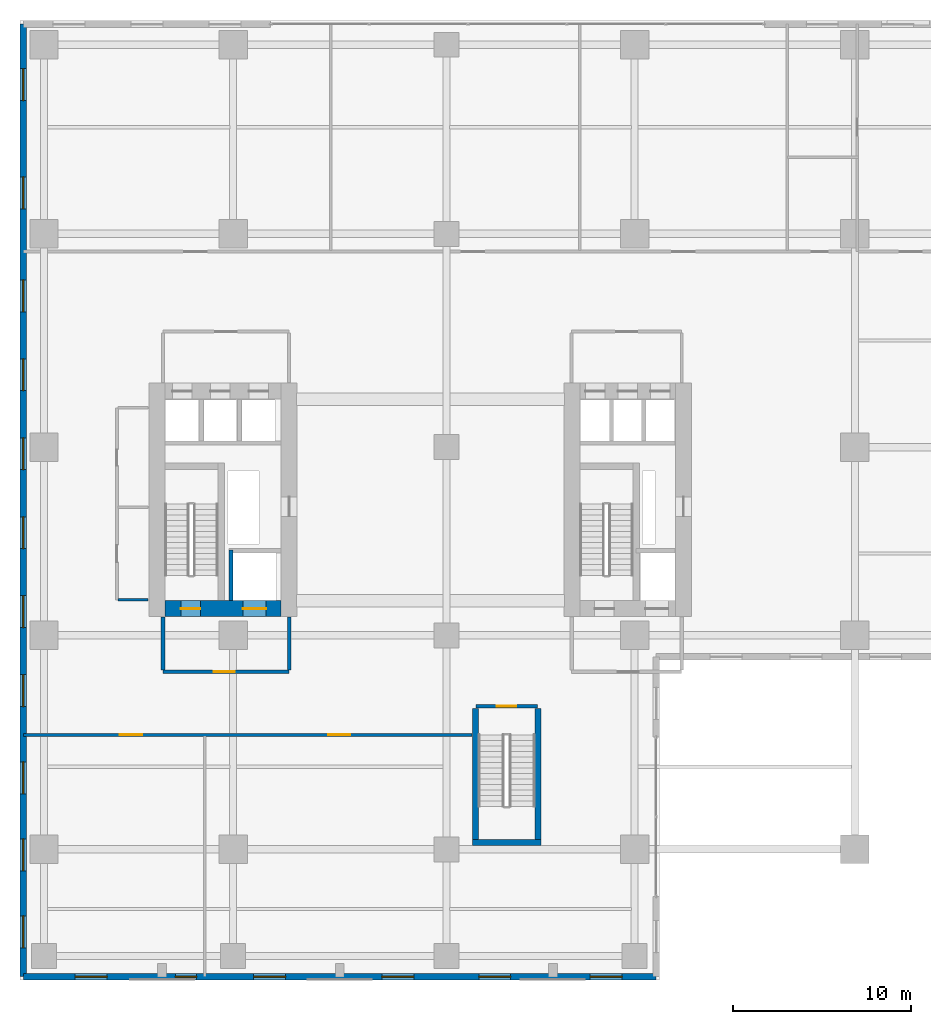
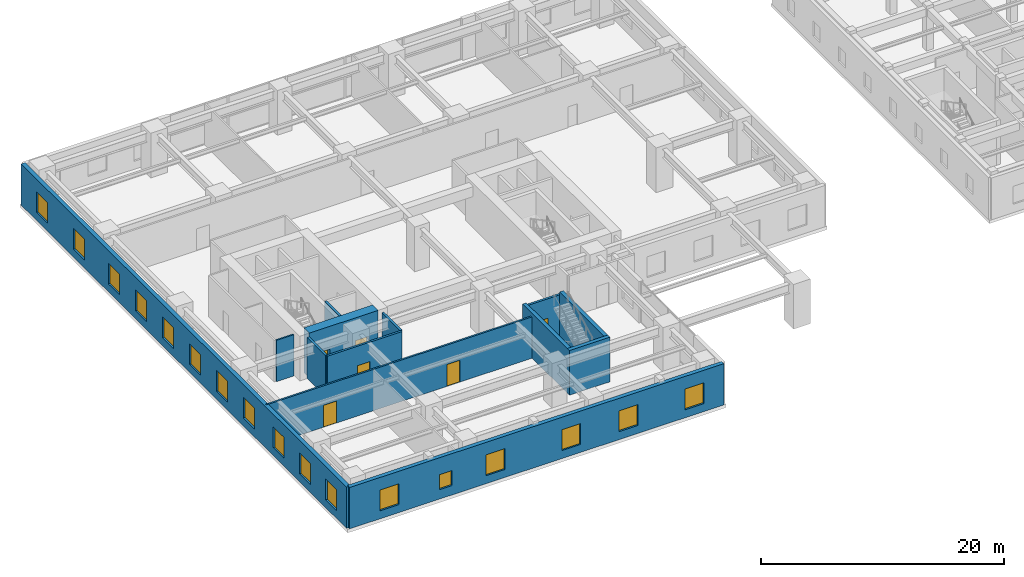
# One storey, part 18 of 26: 17 windows, 13 walls, 6 doors, 23 openings.
"""IFC4 building model written with IfcOpenShell, lengths in metres."""

from ifc_helpers import new_model, si_unit, direction, frame, frame_2d, origin, place, context, subcontext, project, spatial, rectangle, extrude, source, transform, mapped, material, layer, layer_set, type_object, element, fill, save


model = new_model("IFC4")

# Units and contexts
model_context = context("Model", 3, precision=1e-05, world=origin(), true_north=direction((0.0, 1.0)))
body_context = subcontext(model_context, "Body", "Model", "MODEL_VIEW")
ifc_project = project(units=[si_unit("LENGTHUNIT", "METRE"), si_unit("AREAUNIT", "SQUARE_METRE"), si_unit("VOLUMEUNIT", "CUBIC_METRE"), si_unit("PLANEANGLEUNIT", "RADIAN"), si_unit("MASSUNIT", "GRAM", prefix="KILO")], contexts=[model_context])

# Site, building, storey
site_placement = place(None, origin())
site = spatial("IfcSite", under=ifc_project, at=site_placement, CompositionType="ELEMENT")
building_placement = place(site_placement, origin())
building = spatial("IfcBuilding", under=site, at=building_placement, Name="Khoralis Quay Care Tower", CompositionType="ELEMENT")
storey_placement = place(building_placement, frame((0.0, 0.0, 4.5)))
storey = spatial("IfcBuildingStorey", under=building, at=storey_placement, Name="L01", CompositionType="ELEMENT", Elevation=4.5)

# Wall, opening, door
ifc_material_1 = material(Name="Gypsum plasterboard on acoustic metal stud")
ifc_layer_1 = layer(ifc_material_1, 0.199951171875)
ifc_layer_set_1 = layer_set([ifc_layer_1], Name="Gypsum plasterboard on acoustic metal stud")
wall_type_1 = type_object("IfcWallType", Name="WL-COMP-200", PredefinedType="PARTITIONING", material=ifc_layer_set_1)
wall_1_placement = place(storey_placement, frame((8.050048828125, 11.35009765625, 0.0), z_axis=(0.0, 0.0, 1.0), x_axis=(1.0, 0.0, 0.0)))
wall_1 = element("IfcWall", 1, at=wall_1_placement, inside=storey, type_object=wall_type_1, Name="L01 West Firefighting Lobby South Wall", PredefinedType="PARTITIONING", context=body_context, shape_type="SweptSolid", body=[
    extrude(rectangle(XDim=7.099853515625, YDim=0.199951171875, at=frame_2d((3.5498046875, 0.0))), origin(), (0.0, 0.0, 1.0), 4.159912109375),
])
opening_1_placement = place(wall_1_placement, frame((2.846435546875, 0.0, 0.0)))
opening_1 = element("IfcOpeningElement", 2, at=opening_1_placement, cuts=wall_1, Name="Opening FD1", PredefinedType="OPENING", context=body_context, shape_type="SweptSolid", body=[
    extrude(rectangle(XDim=1.199951171875, YDim=2.199951171875, at=frame_2d((0.60009765625, 1.10009765625))), frame((0.0, 0.10986328125, 0.0), z_axis=(0.0, -1.0, 0.0), x_axis=(1.0, 0.0, 0.0)), (0.0, 0.0, 1.0), 0.219970703125),
])
ifc_material_2 = material(Name="Fire-rated painted steel", Category="steel")
door_type_1 = type_object("IfcDoorType", Name="DR-FFL-1200X2200", OperationType="NOTDEFINED", PredefinedType="DOOR", material=ifc_material_2)
shared_shape_1 = source(origin(), body_context, "Body", "SweptSolid", [
    extrude(rectangle(XDim=1.199951171875, YDim=2.199951171875, at=frame_2d((0.60009765625, 1.10009765625))), frame((0.0, 0.02490234375, 0.0), z_axis=(0.0, -1.0, 0.0), x_axis=(1.0, 0.0, 0.0)), (0.0, 0.0, 1.0), 0.050048828125),
])
door_1_placement = place(opening_1_placement, origin())
door_1 = element("IfcDoor", 3, at=door_1_placement, inside=storey, type_object=door_type_1, Name="L01 West Firefighting Lobby Fire Door", OperationType="SINGLE_SWING_LEFT", OverallHeight=2.199951171875, OverallWidth=1.199951171875, PredefinedType="DOOR", context=body_context, shape_type="MappedRepresentation", body=[
    mapped(shared_shape_1, transform((0.0, 0.0, 0.0), scale=1.0)),
])
fill(opening_1, door_1)

# Walls
for number, where, z_axis, x_axis, name in (
    (4, (8.050048828125, 11.445068359375, 0.0), (0.0, 0.0, 1.0), (0.0, 1.0, 0.0), "L01 West Firefighting Lobby West Wall"),
    (5, (15.14990234375, 11.445068359375, 0.0), (0.0, 0.0, 1.0), (0.0, 1.0, 0.0), "L01 West Firefighting Lobby East Wall"),
):
    element("IfcWall", number, at=place(storey_placement, frame(where, z_axis=z_axis, x_axis=x_axis)), inside=storey, type_object=wall_type_1, Name=name, PredefinedType="PARTITIONING", context=body_context, shape_type="SweptSolid", body=[
        extrude(rectangle(XDim=2.98486328125, YDim=0.199951171875, at=frame_2d((1.492431640625, 0.0))), origin(), (0.0, 0.0, 1.0), 4.159912109375),
    ])

# Wall, opening, door
wall_2_placement = place(storey_placement, frame((25.679931640625, 9.419921875, 0.0), z_axis=(0.0, 0.0, 1.0), x_axis=(1.0, 0.0, 0.0)))
wall_2 = element("IfcWall", 6, at=wall_2_placement, inside=storey, type_object=wall_type_1, Name="L01 Podium Stair ST-P1 North Wall", PredefinedType="PARTITIONING", context=body_context, shape_type="SweptSolid", body=[
    extrude(rectangle(XDim=3.440185546875, YDim=0.199951171875, at=frame_2d((1.72021484375, 0.0))), origin(), (0.0, 0.0, 1.0), 4.159912109375),
])
opening_2_placement = place(wall_2_placement, frame((1.14990234375, 0.0, 0.0)))
opening_2 = element("IfcOpeningElement", 7, at=opening_2_placement, cuts=wall_2, Name="Opening SD1", PredefinedType="OPENING", context=body_context, shape_type="SweptSolid", body=[
    extrude(rectangle(XDim=1.10009765625, YDim=2.199951171875, at=frame_2d((0.550048828125, 1.10009765625))), frame((0.0, 0.10986328125, 0.0), z_axis=(0.0, -1.0, 0.0), x_axis=(1.0, 0.0, 0.0)), (0.0, 0.0, 1.0), 0.219970703125),
])
door_type_2 = type_object("IfcDoorType", Name="DR-STAIR-1100X2200", OperationType="NOTDEFINED", PredefinedType="DOOR", material=ifc_material_2)
shared_shape_2 = source(origin(), body_context, "Body", "SweptSolid", [
    extrude(rectangle(XDim=1.10009765625, YDim=2.199951171875, at=frame_2d((0.550048828125, 1.10009765625))), frame((0.0, 0.02490234375, 0.0), z_axis=(0.0, -1.0, 0.0), x_axis=(1.0, 0.0, 0.0)), (0.0, 0.0, 1.0), 0.050048828125),
])
door_2_placement = place(opening_2_placement, frame((1.10009765625, 0.0, 0.0), z_axis=(0.0, 0.0, 1.0), x_axis=(-1.0, 0.0, 0.0)))
door_2 = element("IfcDoor", 8, at=door_2_placement, inside=storey, type_object=door_type_2, Name="L01 Stair ST-P1 Fire Door", OperationType="SINGLE_SWING_LEFT", OverallHeight=2.199951171875, OverallWidth=1.10009765625, PredefinedType="DOOR", context=body_context, shape_type="MappedRepresentation", body=[
    mapped(shared_shape_2, transform((0.0, 0.0, 0.0), scale=1.0)),
])
fill(opening_2, door_2)

# Wall, openings, doors
ifc_material_3 = material(Name="Concrete C80/95", Category="concrete")
ifc_layer_2 = layer(ifc_material_3, 0.89990234375)
ifc_layer_set_2 = layer_set([ifc_layer_2], Name="Concrete C80/95")
wall_type_2 = type_object("IfcWallType", Name="WL-CORE-900", PredefinedType="SHEAR", material=ifc_layer_set_2)
wall_3_placement = place(storey_placement, frame((8.14990234375, 14.89990234375, 0.0), z_axis=(0.0, 0.0, 1.0), x_axis=(1.0, 0.0, 0.0)))
wall_3 = element("IfcWall", 9, at=wall_3_placement, inside=storey, type_object=wall_type_2, Name="L01 WCORE South Shear Wall", PredefinedType="SHEAR", context=body_context, shape_type="SweptSolid", body=[
    extrude(rectangle(XDim=6.550048828125, YDim=0.89990234375, at=frame_2d((3.27490234375, 0.0))), origin(), (0.0, 0.0, 1.0), 4.5),
])
opening_3_placement = place(wall_3_placement, frame((0.89990234375, 0.0, 0.0)))
opening_3 = element("IfcOpeningElement", 10, at=opening_3_placement, cuts=wall_3, Name="Opening SD1", PredefinedType="OPENING", context=body_context, shape_type="SweptSolid", body=[
    extrude(rectangle(XDim=1.10009765625, YDim=2.199951171875, at=frame_2d((0.550048828125, 1.10009765625))), frame((0.0, 0.4599609375, 0.0), z_axis=(0.0, -1.0, 0.0), x_axis=(1.0, 0.0, 0.0)), (0.0, 0.0, 1.0), 0.919921875),
])
opening_4_placement = place(wall_3_placement, frame((4.39990234375, 0.0, 0.0)))
opening_4 = element("IfcOpeningElement", 11, at=opening_4_placement, cuts=wall_3, Name="Opening LD2", PredefinedType="OPENING", context=body_context, shape_type="SweptSolid", body=[
    extrude(rectangle(XDim=1.300048828125, YDim=2.199951171875, at=frame_2d((0.64990234375, 1.10009765625))), frame((0.0, 0.4599609375, 0.0), z_axis=(0.0, -1.0, 0.0), x_axis=(1.0, 0.0, 0.0)), (0.0, 0.0, 1.0), 0.919921875),
])
door_3_placement = place(opening_3_placement, origin())
door_3 = element("IfcDoor", 12, at=door_3_placement, inside=storey, type_object=door_type_2, Name="L01 Stair ST-T1 Fire Door", OperationType="SINGLE_SWING_LEFT", OverallHeight=2.199951171875, OverallWidth=1.10009765625, PredefinedType="DOOR", context=body_context, shape_type="MappedRepresentation", body=[
    mapped(shared_shape_2, transform((0.0, 0.0, 0.0), scale=1.0)),
])
fill(opening_3, door_3)
ifc_material_4 = material(Name="Brushed stainless steel", Category="steel")
door_type_3 = type_object("IfcDoorType", Name="DR-LIFT-1300X2200", OperationType="SLIDING_TO_RIGHT", PredefinedType="DOOR", material=ifc_material_4)
shared_shape_3 = source(origin(), body_context, "Body", "SweptSolid", [
    extrude(rectangle(XDim=1.300048828125, YDim=2.199951171875, at=frame_2d((0.64990234375, 1.10009765625))), frame((0.0, 0.02490234375, 0.0), z_axis=(0.0, -1.0, 0.0), x_axis=(1.0, 0.0, 0.0)), (0.0, 0.0, 1.0), 0.050048828125),
])
door_4_placement = place(opening_4_placement, origin())
door_4 = element("IfcDoor", 13, at=door_4_placement, inside=storey, type_object=door_type_3, Name="L01 Firefighting Lift FFL-1 Landing Door", OperationType="SLIDING_TO_RIGHT", OverallHeight=2.199951171875, OverallWidth=1.300048828125, PredefinedType="DOOR", context=body_context, shape_type="MappedRepresentation", body=[
    mapped(shared_shape_3, transform((0.0, 0.0, 0.0), scale=1.0)),
])
fill(opening_4, door_4)

ifc_layer_3 = layer(ifc_material_1, 0.1650390625)
ifc_layer_set_3 = layer_set([ifc_layer_3], Name="Gypsum plasterboard on acoustic metal stud")
wall_type_3 = type_object("IfcWallType", Name="WL-CORR-165", PredefinedType="PARTITIONING", material=ifc_layer_set_3)
wall_4_placement = place(storey_placement, frame((0.18505859375, 7.800048828125, 0.0), z_axis=(0.0, 0.0, 1.0), x_axis=(1.0, 0.0, 0.0)))
wall_4 = element("IfcWall", 14, at=wall_4_placement, inside=storey, type_object=wall_type_3, Name="L01 Podium South Concourse Wall", PredefinedType="PARTITIONING", context=body_context, shape_type="SweptSolid", body=[
    extrude(rectangle(XDim=25.264892578125, YDim=0.1650390625, at=frame_2d((12.63232421875, 0.0))), origin(), (0.0, 0.0, 1.0), 4.159912109375),
])
opening_5_placement = place(wall_4_placement, frame((5.43994140625, 0.0, 0.0)))
opening_5 = element("IfcOpeningElement", 15, at=opening_5_placement, cuts=wall_4, Name="Opening CD1", PredefinedType="OPENING", context=body_context, shape_type="SweptSolid", body=[
    extrude(rectangle(XDim=1.25, YDim=2.199951171875, at=frame_2d((0.625, 1.10009765625))), frame((0.0, 0.092529296875, 0.0), z_axis=(0.0, -1.0, 0.0), x_axis=(1.0, 0.0, 0.0)), (0.0, 0.0, 1.0), 0.18505859375),
])
opening_6_placement = place(wall_4_placement, frame((17.1650390625, 0.0, 0.0)))
opening_6 = element("IfcOpeningElement", 16, at=opening_6_placement, cuts=wall_4, Name="Opening CD1", PredefinedType="OPENING", context=body_context, shape_type="SweptSolid", body=[
    extrude(rectangle(XDim=1.25, YDim=2.199951171875, at=frame_2d((0.625, 1.10009765625))), frame((0.0, 0.092529296875, 0.0), z_axis=(0.0, -1.0, 0.0), x_axis=(1.0, 0.0, 0.0)), (0.0, 0.0, 1.0), 0.18505859375),
])
ifc_material_5 = material(Name="Acoustic hardwood timber", Category="wood")
door_type_4 = type_object("IfcDoorType", Name="DR-CARE-1250X2200", OperationType="NOTDEFINED", PredefinedType="DOOR", material=ifc_material_5)
shared_shape_4 = source(origin(), body_context, "Body", "SweptSolid", [
    extrude(rectangle(XDim=1.25, YDim=2.199951171875, at=frame_2d((0.625, 1.10009765625))), frame((0.0, 0.02490234375, 0.0), z_axis=(0.0, -1.0, 0.0), x_axis=(1.0, 0.0, 0.0)), (0.0, 0.0, 1.0), 0.050048828125),
])
door_5_placement = place(opening_5_placement, frame((1.25, 0.0, 0.0), z_axis=(0.0, 0.0, 1.0), x_axis=(-1.0, 0.0, 0.0)))
door_5 = element("IfcDoor", 17, at=door_5_placement, inside=storey, type_object=door_type_4, Name="L01 Outpatient Geriatric Pharmacy Door", OperationType="SINGLE_SWING_LEFT", OverallHeight=2.199951171875, OverallWidth=1.25, PredefinedType="DOOR", context=body_context, shape_type="MappedRepresentation", body=[
    mapped(shared_shape_4, transform((0.0, 0.0, 0.0), scale=1.0)),
])
fill(opening_5, door_5)
door_6_placement = place(opening_6_placement, frame((1.25, 0.0, 0.0), z_axis=(0.0, 0.0, 1.0), x_axis=(-1.0, 0.0, 0.0)))
door_6 = element("IfcDoor", 18, at=door_6_placement, inside=storey, type_object=door_type_4, Name="L01 Diagnostic Radiology Suite Door", OperationType="SINGLE_SWING_RIGHT", OverallHeight=2.199951171875, OverallWidth=1.25, PredefinedType="DOOR", context=body_context, shape_type="MappedRepresentation", body=[
    mapped(shared_shape_4, transform((0.0, 0.0, 0.0), scale=1.0)),
])
fill(opening_6, door_6)

# Wall, openings, windows
ifc_material_6 = material(Name="Precast concrete C45/55", Category="concrete")
ifc_layer_4 = layer(ifc_material_6, 0.3798828125)
ifc_layer_set_4 = layer_set([ifc_layer_4], Name="Precast concrete C45/55")
wall_type_4 = type_object("IfcWallType", Name="WL-EXT-POD-380", PredefinedType="SOLIDWALL", material=ifc_layer_set_4)
wall_5_placement = place(storey_placement, frame((0.18994140625, -5.81005859375, 0.0), z_axis=(0.0, 0.0, 1.0), x_axis=(1.0, 0.0, 0.0)))
wall_5 = element("IfcWall", 19, at=wall_5_placement, inside=storey, type_object=wall_type_4, Name="L01 External Facade Wall WL-POD-L01-E0", PredefinedType="SOLIDWALL", context=body_context, shape_type="SweptSolid", body=[
    extrude(rectangle(XDim=35.6201171875, YDim=0.3798828125, at=frame_2d((17.81005859375, 0.0))), origin(), (0.0, 0.0, 1.0), 4.159912109375),
])
opening_7_placement = place(wall_5_placement, frame((2.909912109375, 0.0, 0.800048828125)))
opening_7 = element("IfcOpeningElement", 20, at=opening_7_placement, cuts=wall_5, Name="Opening W2", PredefinedType="OPENING", context=body_context, shape_type="SweptSolid", body=[
    extrude(rectangle(XDim=1.800048828125, YDim=2.10009765625, at=frame_2d((0.89990234375, 1.050048828125))), frame((0.0, 0.199951171875, 0.0), z_axis=(0.0, -1.0, 0.0), x_axis=(1.0, 0.0, 0.0)), (0.0, 0.0, 1.0), 0.39990234375),
])
opening_8_placement = place(wall_5_placement, frame((8.554931640625, 0.0, 0.949951171875)))
opening_8 = element("IfcOpeningElement", 21, at=opening_8_placement, cuts=wall_5, Name="Opening W6", PredefinedType="OPENING", context=body_context, shape_type="SweptSolid", body=[
    extrude(rectangle(XDim=1.199951171875, YDim=1.5, at=frame_2d((0.60009765625, 0.75))), frame((0.0, 0.199951171875, 0.0), z_axis=(0.0, -1.0, 0.0), x_axis=(1.0, 0.0, 0.0)), (0.0, 0.0, 1.0), 0.39990234375),
])
opening_9_placement = place(wall_5_placement, frame((12.965087890625, 0.0, 0.800048828125)))
opening_9 = element("IfcOpeningElement", 22, at=opening_9_placement, cuts=wall_5, Name="Opening W2", PredefinedType="OPENING", context=body_context, shape_type="SweptSolid", body=[
    extrude(rectangle(XDim=1.800048828125, YDim=2.10009765625, at=frame_2d((0.89990234375, 1.050048828125))), frame((0.0, 0.199951171875, 0.0), z_axis=(0.0, -1.0, 0.0), x_axis=(1.0, 0.0, 0.0)), (0.0, 0.0, 1.0), 0.39990234375),
])
opening_10_placement = place(wall_5_placement, frame((20.18505859375, 0.0, 0.800048828125)))
opening_10 = element("IfcOpeningElement", 23, at=opening_10_placement, cuts=wall_5, Name="Opening W2", PredefinedType="OPENING", context=body_context, shape_type="SweptSolid", body=[
    extrude(rectangle(XDim=1.800048828125, YDim=2.10009765625, at=frame_2d((0.89990234375, 1.050048828125))), frame((0.0, 0.199951171875, 0.0), z_axis=(0.0, -1.0, 0.0), x_axis=(1.0, 0.0, 0.0)), (0.0, 0.0, 1.0), 0.39990234375),
])
opening_11_placement = place(wall_5_placement, frame((25.635009765625, 0.0, 0.800048828125)))
opening_11 = element("IfcOpeningElement", 24, at=opening_11_placement, cuts=wall_5, Name="Opening W2", PredefinedType="OPENING", context=body_context, shape_type="SweptSolid", body=[
    extrude(rectangle(XDim=1.800048828125, YDim=2.10009765625, at=frame_2d((0.89990234375, 1.050048828125))), frame((0.0, 0.199951171875, 0.0), z_axis=(0.0, -1.0, 0.0), x_axis=(1.0, 0.0, 0.0)), (0.0, 0.0, 1.0), 0.39990234375),
])
opening_12_placement = place(wall_5_placement, frame((31.909912109375, 0.0, 0.800048828125)))
opening_12 = element("IfcOpeningElement", 25, at=opening_12_placement, cuts=wall_5, Name="Opening W2", PredefinedType="OPENING", context=body_context, shape_type="SweptSolid", body=[
    extrude(rectangle(XDim=1.800048828125, YDim=2.10009765625, at=frame_2d((0.89990234375, 1.050048828125))), frame((0.0, 0.199951171875, 0.0), z_axis=(0.0, -1.0, 0.0), x_axis=(1.0, 0.0, 0.0)), (0.0, 0.0, 1.0), 0.39990234375),
])
ifc_material_7 = material(Name="Low-E solar-control double glazing", Category="glass")
window_type_1 = type_object("IfcWindowType", Name="WN-SCH-1200X1500", PartitioningType="SINGLE_PANEL", PredefinedType="WINDOW", material=ifc_material_7)
shared_shape_5 = source(origin(), body_context, "Body", "SweptSolid", [
    extrude(rectangle(XDim=1.199951171875, YDim=1.5, at=frame_2d((0.60009765625, 0.75))), frame((0.0, 0.030029296875, 0.0), z_axis=(0.0, -1.0, 0.0), x_axis=(1.0, 0.0, 0.0)), (0.0, 0.0, 1.0), 0.06005859375),
])
window_1_placement = place(opening_8_placement, origin())
window_1 = element("IfcWindow", 26, at=window_1_placement, inside=storey, type_object=window_type_1, Name="WN-POD-L01-E0 Facade Window 02", OverallHeight=1.5, OverallWidth=1.199951171875, PartitioningType="SINGLE_PANEL", PredefinedType="WINDOW", context=body_context, shape_type="MappedRepresentation", body=[
    mapped(shared_shape_5, transform((0.0, 0.0, 0.0), scale=1.0)),
])
fill(opening_8, window_1)
window_type_2 = type_object("IfcWindowType", Name="WN-POD-1800X2100", PartitioningType="SINGLE_PANEL", PredefinedType="WINDOW", material=ifc_material_7)
shared_shape_6 = source(origin(), body_context, "Body", "SweptSolid", [
    extrude(rectangle(XDim=1.800048828125, YDim=2.10009765625, at=frame_2d((0.89990234375, 1.050048828125))), frame((0.0, 0.030029296875, 0.0), z_axis=(0.0, -1.0, 0.0), x_axis=(1.0, 0.0, 0.0)), (0.0, 0.0, 1.0), 0.06005859375),
])
window_2_placement = place(opening_7_placement, origin())
window_2 = element("IfcWindow", 27, at=window_2_placement, inside=storey, type_object=window_type_2, Name="WN-POD-L01-E0 Facade Window 01", OverallHeight=2.10009765625, OverallWidth=1.800048828125, PartitioningType="SINGLE_PANEL", PredefinedType="WINDOW", context=body_context, shape_type="MappedRepresentation", body=[
    mapped(shared_shape_6, transform((0.0, 0.0, 0.0), scale=1.0)),
])
fill(opening_7, window_2)
window_3_placement = place(opening_9_placement, origin())
window_3 = element("IfcWindow", 28, at=window_3_placement, inside=storey, type_object=window_type_2, Name="WN-POD-L01-E0 Facade Window 03", OverallHeight=2.10009765625, OverallWidth=1.800048828125, PartitioningType="SINGLE_PANEL", PredefinedType="WINDOW", context=body_context, shape_type="MappedRepresentation", body=[
    mapped(shared_shape_6, transform((0.0, 0.0, 0.0), scale=1.0)),
])
fill(opening_9, window_3)
window_4_placement = place(opening_10_placement, origin())
window_4 = element("IfcWindow", 29, at=window_4_placement, inside=storey, type_object=window_type_2, Name="WN-POD-L01-E0 Facade Window 04", OverallHeight=2.10009765625, OverallWidth=1.800048828125, PartitioningType="SINGLE_PANEL", PredefinedType="WINDOW", context=body_context, shape_type="MappedRepresentation", body=[
    mapped(shared_shape_6, transform((0.0, 0.0, 0.0), scale=1.0)),
])
fill(opening_10, window_4)
window_5_placement = place(opening_11_placement, origin())
window_5 = element("IfcWindow", 30, at=window_5_placement, inside=storey, type_object=window_type_2, Name="WN-POD-L01-E0 Facade Window 05", OverallHeight=2.10009765625, OverallWidth=1.800048828125, PartitioningType="SINGLE_PANEL", PredefinedType="WINDOW", context=body_context, shape_type="MappedRepresentation", body=[
    mapped(shared_shape_6, transform((0.0, 0.0, 0.0), scale=1.0)),
])
fill(opening_11, window_5)
window_6_placement = place(opening_12_placement, origin())
window_6 = element("IfcWindow", 31, at=window_6_placement, inside=storey, type_object=window_type_2, Name="WN-POD-L01-E0 Facade Window 06", OverallHeight=2.10009765625, OverallWidth=1.800048828125, PartitioningType="SINGLE_PANEL", PredefinedType="WINDOW", context=body_context, shape_type="MappedRepresentation", body=[
    mapped(shared_shape_6, transform((0.0, 0.0, 0.0), scale=1.0)),
])
fill(opening_12, window_6)

wall_6_placement = place(storey_placement, frame((0.18994140625, 47.81005859375, 0.0), z_axis=(0.0, 0.0, 1.0), x_axis=(0.0, -1.0, 0.0)))
wall_6 = element("IfcWall", 32, at=wall_6_placement, inside=storey, type_object=wall_type_4, Name="L01 External Facade Wall WL-POD-L01-E5", PredefinedType="SOLIDWALL", context=body_context, shape_type="SweptSolid", body=[
    extrude(rectangle(XDim=53.6201171875, YDim=0.3798828125, at=frame_2d((26.81005859375, 0.0))), origin(), (0.0, 0.0, 1.0), 4.159912109375),
])
opening_13_placement = place(wall_6_placement, frame((2.507568359375, 0.0, 0.800048828125)))
opening_13 = element("IfcOpeningElement", 33, at=opening_13_placement, cuts=wall_6, Name="Opening W2", PredefinedType="OPENING", context=body_context, shape_type="SweptSolid", body=[
    extrude(rectangle(XDim=1.800048828125, YDim=2.10009765625, at=frame_2d((0.89990234375, 1.050048828125))), frame((0.0, 0.199951171875, 0.0), z_axis=(0.0, -1.0, 0.0), x_axis=(1.0, 0.0, 0.0)), (0.0, 0.0, 1.0), 0.39990234375),
])
opening_14_placement = place(wall_6_placement, frame((8.6025390625, 0.0, 0.800048828125)))
opening_14 = element("IfcOpeningElement", 34, at=opening_14_placement, cuts=wall_6, Name="Opening W2", PredefinedType="OPENING", context=body_context, shape_type="SweptSolid", body=[
    extrude(rectangle(XDim=1.800048828125, YDim=2.10009765625, at=frame_2d((0.89990234375, 1.050048828125))), frame((0.0, 0.199951171875, 0.0), z_axis=(0.0, -1.0, 0.0), x_axis=(1.0, 0.0, 0.0)), (0.0, 0.0, 1.0), 0.39990234375),
])
opening_15_placement = place(wall_6_placement, frame((14.393310546875, 0.0, 0.800048828125)))
opening_15 = element("IfcOpeningElement", 35, at=opening_15_placement, cuts=wall_6, Name="Opening W2", PredefinedType="OPENING", context=body_context, shape_type="SweptSolid", body=[
    extrude(rectangle(XDim=1.800048828125, YDim=2.10009765625, at=frame_2d((0.89990234375, 1.050048828125))), frame((0.0, 0.199951171875, 0.0), z_axis=(0.0, -1.0, 0.0), x_axis=(1.0, 0.0, 0.0)), (0.0, 0.0, 1.0), 0.39990234375),
])
opening_16_placement = place(wall_6_placement, frame((18.840087890625, 0.0, 0.800048828125)))
opening_16 = element("IfcOpeningElement", 36, at=opening_16_placement, cuts=wall_6, Name="Opening W2", PredefinedType="OPENING", context=body_context, shape_type="SweptSolid", body=[
    extrude(rectangle(XDim=1.800048828125, YDim=2.10009765625, at=frame_2d((0.89990234375, 1.050048828125))), frame((0.0, 0.199951171875, 0.0), z_axis=(0.0, -1.0, 0.0), x_axis=(1.0, 0.0, 0.0)), (0.0, 0.0, 1.0), 0.39990234375),
])
opening_17_placement = place(wall_6_placement, frame((23.28662109375, 0.0, 0.800048828125)))
opening_17 = element("IfcOpeningElement", 37, at=opening_17_placement, cuts=wall_6, Name="Opening W2", PredefinedType="OPENING", context=body_context, shape_type="SweptSolid", body=[
    extrude(rectangle(XDim=1.800048828125, YDim=2.10009765625, at=frame_2d((0.89990234375, 1.050048828125))), frame((0.0, 0.199951171875, 0.0), z_axis=(0.0, -1.0, 0.0), x_axis=(1.0, 0.0, 0.0)), (0.0, 0.0, 1.0), 0.39990234375),
])
opening_18_placement = place(wall_6_placement, frame((27.7333984375, 0.0, 0.800048828125)))
opening_18 = element("IfcOpeningElement", 38, at=opening_18_placement, cuts=wall_6, Name="Opening W2", PredefinedType="OPENING", context=body_context, shape_type="SweptSolid", body=[
    extrude(rectangle(XDim=1.800048828125, YDim=2.10009765625, at=frame_2d((0.89990234375, 1.050048828125))), frame((0.0, 0.199951171875, 0.0), z_axis=(0.0, -1.0, 0.0), x_axis=(1.0, 0.0, 0.0)), (0.0, 0.0, 1.0), 0.39990234375),
])
opening_19_placement = place(wall_6_placement, frame((32.179931640625, 0.0, 0.800048828125)))
opening_19 = element("IfcOpeningElement", 39, at=opening_19_placement, cuts=wall_6, Name="Opening W2", PredefinedType="OPENING", context=body_context, shape_type="SweptSolid", body=[
    extrude(rectangle(XDim=1.800048828125, YDim=2.10009765625, at=frame_2d((0.89990234375, 1.050048828125))), frame((0.0, 0.199951171875, 0.0), z_axis=(0.0, -1.0, 0.0), x_axis=(1.0, 0.0, 0.0)), (0.0, 0.0, 1.0), 0.39990234375),
])
opening_20_placement = place(wall_6_placement, frame((36.626708984375, 0.0, 0.800048828125)))
opening_20 = element("IfcOpeningElement", 40, at=opening_20_placement, cuts=wall_6, Name="Opening W2", PredefinedType="OPENING", context=body_context, shape_type="SweptSolid", body=[
    extrude(rectangle(XDim=1.800048828125, YDim=2.10009765625, at=frame_2d((0.89990234375, 1.050048828125))), frame((0.0, 0.199951171875, 0.0), z_axis=(0.0, -1.0, 0.0), x_axis=(1.0, 0.0, 0.0)), (0.0, 0.0, 1.0), 0.39990234375),
])
opening_21_placement = place(wall_6_placement, frame((41.534912109375, 0.0, 0.800048828125)))
opening_21 = element("IfcOpeningElement", 41, at=opening_21_placement, cuts=wall_6, Name="Opening W2", PredefinedType="OPENING", context=body_context, shape_type="SweptSolid", body=[
    extrude(rectangle(XDim=1.800048828125, YDim=2.10009765625, at=frame_2d((0.89990234375, 1.050048828125))), frame((0.0, 0.199951171875, 0.0), z_axis=(0.0, -1.0, 0.0), x_axis=(1.0, 0.0, 0.0)), (0.0, 0.0, 1.0), 0.39990234375),
])
opening_22_placement = place(wall_6_placement, frame((45.864990234375, 0.0, 0.800048828125)))
opening_22 = element("IfcOpeningElement", 42, at=opening_22_placement, cuts=wall_6, Name="Opening W2", PredefinedType="OPENING", context=body_context, shape_type="SweptSolid", body=[
    extrude(rectangle(XDim=1.800048828125, YDim=2.10009765625, at=frame_2d((0.89990234375, 1.050048828125))), frame((0.0, 0.199951171875, 0.0), z_axis=(0.0, -1.0, 0.0), x_axis=(1.0, 0.0, 0.0)), (0.0, 0.0, 1.0), 0.39990234375),
])
opening_23_placement = place(wall_6_placement, frame((50.195068359375, 0.0, 0.800048828125)))
opening_23 = element("IfcOpeningElement", 43, at=opening_23_placement, cuts=wall_6, Name="Opening W2", PredefinedType="OPENING", context=body_context, shape_type="SweptSolid", body=[
    extrude(rectangle(XDim=1.800048828125, YDim=2.10009765625, at=frame_2d((0.89990234375, 1.050048828125))), frame((0.0, 0.199951171875, 0.0), z_axis=(0.0, -1.0, 0.0), x_axis=(1.0, 0.0, 0.0)), (0.0, 0.0, 1.0), 0.39990234375),
])
window_7_placement = place(opening_13_placement, origin())
window_7 = element("IfcWindow", 44, at=window_7_placement, inside=storey, type_object=window_type_2, Name="WN-POD-L01-E5 Facade Window 01", OverallHeight=2.10009765625, OverallWidth=1.800048828125, PartitioningType="SINGLE_PANEL", PredefinedType="WINDOW", context=body_context, shape_type="MappedRepresentation", body=[
    mapped(shared_shape_6, transform((0.0, 0.0, 0.0), scale=1.0)),
])
fill(opening_13, window_7)
window_8_placement = place(opening_14_placement, origin())
window_8 = element("IfcWindow", 45, at=window_8_placement, inside=storey, type_object=window_type_2, Name="WN-POD-L01-E5 Facade Window 02", OverallHeight=2.10009765625, OverallWidth=1.800048828125, PartitioningType="SINGLE_PANEL", PredefinedType="WINDOW", context=body_context, shape_type="MappedRepresentation", body=[
    mapped(shared_shape_6, transform((0.0, 0.0, 0.0), scale=1.0)),
])
fill(opening_14, window_8)
window_9_placement = place(opening_15_placement, origin())
window_9 = element("IfcWindow", 46, at=window_9_placement, inside=storey, type_object=window_type_2, Name="WN-POD-L01-E5 Facade Window 03", OverallHeight=2.10009765625, OverallWidth=1.800048828125, PartitioningType="SINGLE_PANEL", PredefinedType="WINDOW", context=body_context, shape_type="MappedRepresentation", body=[
    mapped(shared_shape_6, transform((0.0, 0.0, 0.0), scale=1.0)),
])
fill(opening_15, window_9)
window_10_placement = place(opening_16_placement, origin())
window_10 = element("IfcWindow", 47, at=window_10_placement, inside=storey, type_object=window_type_2, Name="WN-POD-L01-E5 Facade Window 04", OverallHeight=2.10009765625, OverallWidth=1.800048828125, PartitioningType="SINGLE_PANEL", PredefinedType="WINDOW", context=body_context, shape_type="MappedRepresentation", body=[
    mapped(shared_shape_6, transform((0.0, 0.0, 0.0), scale=1.0)),
])
fill(opening_16, window_10)
window_11_placement = place(opening_17_placement, origin())
window_11 = element("IfcWindow", 48, at=window_11_placement, inside=storey, type_object=window_type_2, Name="WN-POD-L01-E5 Facade Window 05", OverallHeight=2.10009765625, OverallWidth=1.800048828125, PartitioningType="SINGLE_PANEL", PredefinedType="WINDOW", context=body_context, shape_type="MappedRepresentation", body=[
    mapped(shared_shape_6, transform((0.0, 0.0, 0.0), scale=1.0)),
])
fill(opening_17, window_11)
window_12_placement = place(opening_18_placement, origin())
window_12 = element("IfcWindow", 49, at=window_12_placement, inside=storey, type_object=window_type_2, Name="WN-POD-L01-E5 Facade Window 06", OverallHeight=2.10009765625, OverallWidth=1.800048828125, PartitioningType="SINGLE_PANEL", PredefinedType="WINDOW", context=body_context, shape_type="MappedRepresentation", body=[
    mapped(shared_shape_6, transform((0.0, 0.0, 0.0), scale=1.0)),
])
fill(opening_18, window_12)
window_13_placement = place(opening_19_placement, origin())
window_13 = element("IfcWindow", 50, at=window_13_placement, inside=storey, type_object=window_type_2, Name="WN-POD-L01-E5 Facade Window 07", OverallHeight=2.10009765625, OverallWidth=1.800048828125, PartitioningType="SINGLE_PANEL", PredefinedType="WINDOW", context=body_context, shape_type="MappedRepresentation", body=[
    mapped(shared_shape_6, transform((0.0, 0.0, 0.0), scale=1.0)),
])
fill(opening_19, window_13)
window_14_placement = place(opening_20_placement, origin())
window_14 = element("IfcWindow", 51, at=window_14_placement, inside=storey, type_object=window_type_2, Name="WN-POD-L01-E5 Facade Window 08", OverallHeight=2.10009765625, OverallWidth=1.800048828125, PartitioningType="SINGLE_PANEL", PredefinedType="WINDOW", context=body_context, shape_type="MappedRepresentation", body=[
    mapped(shared_shape_6, transform((0.0, 0.0, 0.0), scale=1.0)),
])
fill(opening_20, window_14)
window_15_placement = place(opening_21_placement, origin())
window_15 = element("IfcWindow", 52, at=window_15_placement, inside=storey, type_object=window_type_2, Name="WN-POD-L01-E5 Facade Window 09", OverallHeight=2.10009765625, OverallWidth=1.800048828125, PartitioningType="SINGLE_PANEL", PredefinedType="WINDOW", context=body_context, shape_type="MappedRepresentation", body=[
    mapped(shared_shape_6, transform((0.0, 0.0, 0.0), scale=1.0)),
])
fill(opening_21, window_15)
window_16_placement = place(opening_22_placement, origin())
window_16 = element("IfcWindow", 53, at=window_16_placement, inside=storey, type_object=window_type_2, Name="WN-POD-L01-E5 Facade Window 10", OverallHeight=2.10009765625, OverallWidth=1.800048828125, PartitioningType="SINGLE_PANEL", PredefinedType="WINDOW", context=body_context, shape_type="MappedRepresentation", body=[
    mapped(shared_shape_6, transform((0.0, 0.0, 0.0), scale=1.0)),
])
fill(opening_22, window_16)
window_17_placement = place(opening_23_placement, origin())
window_17 = element("IfcWindow", 54, at=window_17_placement, inside=storey, type_object=window_type_2, Name="WN-POD-L01-E5 Facade Window 11", OverallHeight=2.10009765625, OverallWidth=1.800048828125, PartitioningType="SINGLE_PANEL", PredefinedType="WINDOW", context=body_context, shape_type="MappedRepresentation", body=[
    mapped(shared_shape_6, transform((0.0, 0.0, 0.0), scale=1.0)),
])
fill(opening_23, window_17)

# Walls
ifc_material_8 = material(Name="Concrete C40/50", Category="concrete")
ifc_layer_5 = layer(ifc_material_8, 0.35009765625)
ifc_layer_set_5 = layer_set([ifc_layer_5], Name="Concrete C40/50")
wall_type_5 = type_object("IfcWallType", Name="WL-SC-CORE-350", PredefinedType="SHEAR", material=ifc_layer_set_5)
for number, where, z_axis, x_axis, name in (
    (55, (25.64501953125, 1.570068359375, 0.0), (0.0, 0.0, 1.0), (0.0, 1.0, 0.0), "L01 Podium Stair ST-P1 West Shear Wall"),
    (56, (29.155029296875, 1.570068359375, 0.0), (0.0, 0.0, 1.0), (0.0, 1.0, 0.0), "L01 Podium Stair ST-P1 East Shear Wall"),
):
    element("IfcWall", number, at=place(storey_placement, frame(where, z_axis=z_axis, x_axis=x_axis)), inside=storey, type_object=wall_type_5, Name=name, PredefinedType="SHEAR", context=body_context, shape_type="SweptSolid", body=[
        extrude(rectangle(XDim=7.7099609375, YDim=0.35009765625, at=frame_2d((3.85498046875, 0.0))), origin(), (0.0, 0.0, 1.0), 4.5),
    ])
wall_7_placement = place(storey_placement, frame((25.469970703125, 1.7451171875, 0.0), z_axis=(0.0, 0.0, 1.0), x_axis=(1.0, 0.0, 0.0)))
element("IfcWall", 57, at=wall_7_placement, inside=storey, type_object=wall_type_5, Name="L01 Podium Stair ST-P1 South Shear Wall", PredefinedType="SHEAR", context=body_context, shape_type="SweptSolid", body=[
    extrude(rectangle(XDim=3.860107421875, YDim=0.35009765625, at=frame_2d((1.93017578125, 0.0))), origin(), (0.0, 0.0, 1.0), 4.5),
])
ifc_layer_6 = layer(ifc_material_1, 0.239990234375)
ifc_layer_set_6 = layer_set([ifc_layer_6], Name="Gypsum plasterboard on acoustic metal stud")
wall_type_6 = type_object("IfcWallType", Name="WL-SHAFT-240", PredefinedType="PARTITIONING", material=ifc_layer_set_6)
wall_8_placement = place(storey_placement, frame((11.8798828125, 15.35009765625, 0.0), z_axis=(0.0, 0.0, 1.0), x_axis=(0.0, 1.0, 0.0)))
element("IfcWall", 58, at=wall_8_placement, inside=storey, type_object=wall_type_6, Name="L01 FFL-1 Shaft Wall West", PredefinedType="PARTITIONING", context=body_context, shape_type="SweptSolid", body=[
    extrude(rectangle(XDim=2.849853515625, YDim=0.239990234375, at=frame_2d((1.4248046875, 0.0))), origin(), (0.0, 0.0, 1.0), 4.159912109375),
])
ifc_layer_7 = layer(ifc_material_1, 0.139892578125)
ifc_layer_set_7 = layer_set([ifc_layer_7], Name="Gypsum plasterboard on acoustic metal stud")
wall_type_7 = type_object("IfcWallType", Name="WL-UNIT-140", PredefinedType="PARTITIONING", material=ifc_layer_set_7)
wall_9_placement = place(storey_placement, frame((5.527587890625, 15.39990234375, 0.0), z_axis=(0.0, 0.0, 1.0), x_axis=(1.0, 0.0, 0.0)))
element("IfcWall", 59, at=wall_9_placement, inside=storey, type_object=wall_type_7, Name="L01 West Flank South Cap", PredefinedType="PARTITIONING", context=body_context, shape_type="SweptSolid", body=[
    extrude(rectangle(XDim=1.682373046875, YDim=0.139892578125, at=frame_2d((0.84130859375, 0.0))), origin(), (0.0, 0.0, 1.0), 4.159912109375),
])

save(model, "model.ifc")
